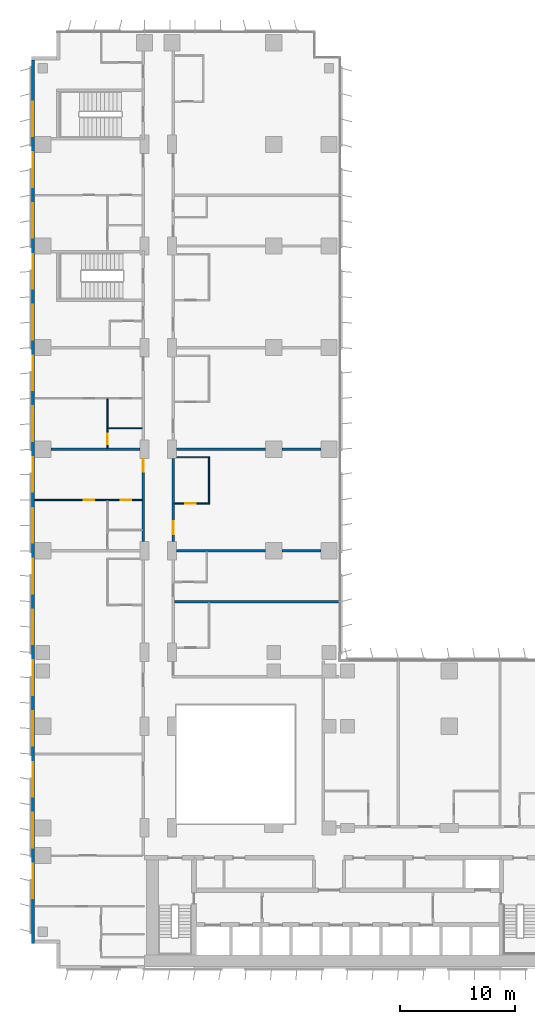
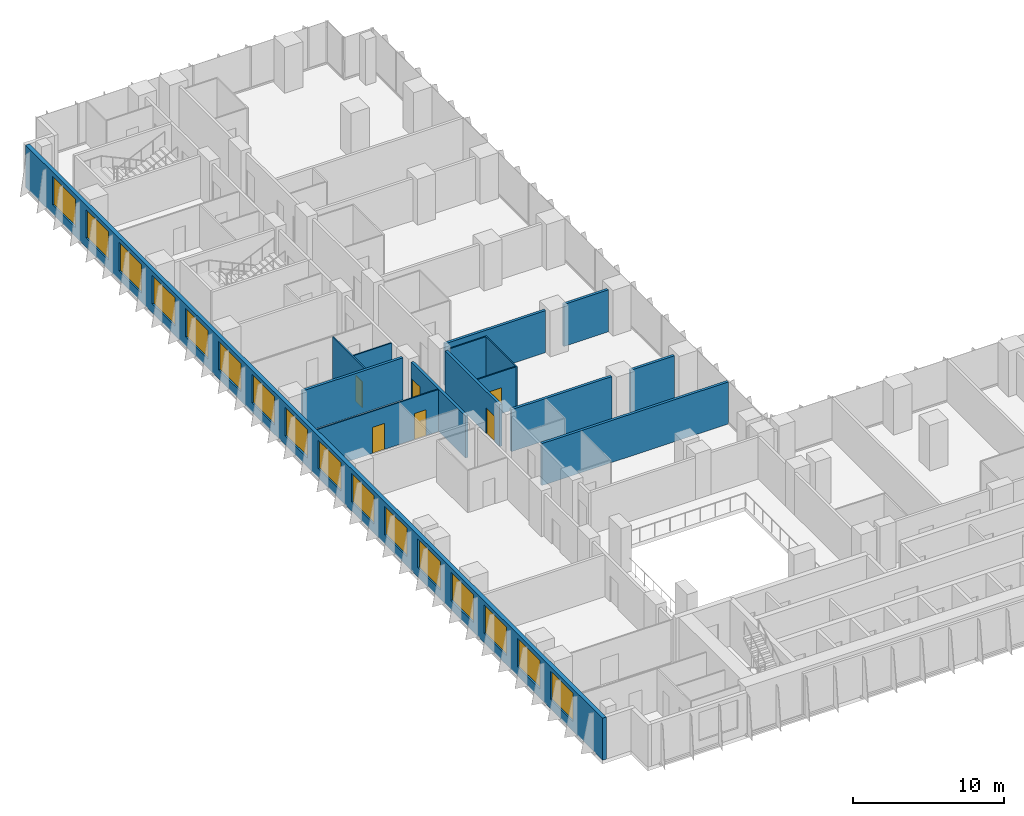
# One storey, part 16 of 24: 16 windows, 15 walls, 6 doors, 22 openings.
"""IFC4 building model written with IfcOpenShell, lengths in metres."""

from ifc_helpers import new_model, si_unit, direction, frame, frame_2d, origin, place, context, subcontext, project, spatial, rectangle, extrude, material, layer, layer_set, type_object, element, fill, save


model = new_model("IFC4")

# Units and contexts
model_context = context("Model", 3, precision=1e-05, world=origin(), true_north=direction((0.0, 1.0)))
body_context = subcontext(model_context, "Body", "Model", "MODEL_VIEW")
ifc_project = project(units=[si_unit("LENGTHUNIT", "METRE"), si_unit("AREAUNIT", "SQUARE_METRE"), si_unit("VOLUMEUNIT", "CUBIC_METRE"), si_unit("PLANEANGLEUNIT", "RADIAN"), si_unit("MASSUNIT", "GRAM", prefix="KILO")], contexts=[model_context])

# Site, building, storey
site_placement = place(None, origin())
site = spatial("IfcSite", under=ifc_project, at=site_placement, CompositionType="ELEMENT")
building_placement = place(site_placement, origin())
building = spatial("IfcBuilding", under=site, at=building_placement, Name="Kemantara Hotel Tower", CompositionType="ELEMENT")
storey_placement = place(building_placement, frame((0.0, 0.0, 76.0)))
storey = spatial("IfcBuildingStorey", under=building, at=storey_placement, Name="L17", CompositionType="ELEMENT", Elevation=76.0)

# Wall, openings, windows
ifc_material_1 = material(Name="Bronze anodised aluminium cladding on insulated steel stud wall", Category="steel")
ifc_layer_1 = layer(ifc_material_1, 0.300048828125)
ifc_layer_set_1 = layer_set([ifc_layer_1], Name="Bronze anodised aluminium cladding on insulated steel stud wall")
wall_type_1 = type_object("IfcWallType", Name="BRONZE METAL-CLAD EXTERNAL WALL 300", PredefinedType="STANDARD", material=ifc_layer_set_1)
wall_1_placement = place(storey_placement, frame((0.14990234375, 78.699951171875, 0.0), z_axis=(0.0, 0.0, 1.0), x_axis=(0.0, -1.0, 0.0)))
wall_1 = element("IfcWall", 1, at=wall_1_placement, inside=storey, type_object=wall_type_1, Name="EXTERNAL WALL L17 T1-R14", PredefinedType="STANDARD", context=body_context, shape_type="SweptSolid", body=[
    extrude(rectangle(XDim=76.5, YDim=0.300048828125, at=frame_2d((38.25, 0.0))), origin(), (0.0, 0.0, 1.0), 3.39990234375),
])
opening_1_placement = place(wall_1_placement, frame((3.60009765625, 0.0, 0.75)))
opening_1 = element("IfcOpeningElement", 2, at=opening_1_placement, cuts=wall_1, Name="Opening W1", PredefinedType="OPENING", context=body_context, shape_type="SweptSolid", body=[
    extrude(rectangle(XDim=3.0, YDim=2.300048828125, at=frame_2d((1.5, 1.14990234375))), frame((0.0, 0.159912109375, 0.0), z_axis=(0.0, -1.0, 0.0), x_axis=(1.0, 0.0, 0.0)), (0.0, 0.0, 1.0), 0.320068359375),
])
opening_2_placement = place(wall_1_placement, frame((8.0, 0.0, 0.75)))
opening_2 = element("IfcOpeningElement", 3, at=opening_2_placement, cuts=wall_1, Name="Opening W1", PredefinedType="OPENING", context=body_context, shape_type="SweptSolid", body=[
    extrude(rectangle(XDim=3.0, YDim=2.300048828125, at=frame_2d((1.5, 1.14990234375))), frame((0.0, 0.159912109375, 0.0), z_axis=(0.0, -1.0, 0.0), x_axis=(1.0, 0.0, 0.0)), (0.0, 0.0, 1.0), 0.320068359375),
])
opening_3_placement = place(wall_1_placement, frame((12.39990234375, 0.0, 0.75)))
opening_3 = element("IfcOpeningElement", 4, at=opening_3_placement, cuts=wall_1, Name="Opening W1", PredefinedType="OPENING", context=body_context, shape_type="SweptSolid", body=[
    extrude(rectangle(XDim=3.0, YDim=2.300048828125, at=frame_2d((1.5, 1.14990234375))), frame((0.0, 0.159912109375, 0.0), z_axis=(0.0, -1.0, 0.0), x_axis=(1.0, 0.0, 0.0)), (0.0, 0.0, 1.0), 0.320068359375),
])
opening_4_placement = place(wall_1_placement, frame((16.800048828125, 0.0, 0.75)))
opening_4 = element("IfcOpeningElement", 5, at=opening_4_placement, cuts=wall_1, Name="Opening W1", PredefinedType="OPENING", context=body_context, shape_type="SweptSolid", body=[
    extrude(rectangle(XDim=3.0, YDim=2.300048828125, at=frame_2d((1.5, 1.14990234375))), frame((0.0, 0.159912109375, 0.0), z_axis=(0.0, -1.0, 0.0), x_axis=(1.0, 0.0, 0.0)), (0.0, 0.0, 1.0), 0.320068359375),
])
opening_5_placement = place(wall_1_placement, frame((21.199951171875, 0.0, 0.75)))
opening_5 = element("IfcOpeningElement", 6, at=opening_5_placement, cuts=wall_1, Name="Opening W1", PredefinedType="OPENING", context=body_context, shape_type="SweptSolid", body=[
    extrude(rectangle(XDim=3.0, YDim=2.300048828125, at=frame_2d((1.5, 1.14990234375))), frame((0.0, 0.159912109375, 0.0), z_axis=(0.0, -1.0, 0.0), x_axis=(1.0, 0.0, 0.0)), (0.0, 0.0, 1.0), 0.320068359375),
])
opening_6_placement = place(wall_1_placement, frame((25.60009765625, 0.0, 0.75)))
opening_6 = element("IfcOpeningElement", 7, at=opening_6_placement, cuts=wall_1, Name="Opening W1", PredefinedType="OPENING", context=body_context, shape_type="SweptSolid", body=[
    extrude(rectangle(XDim=3.0, YDim=2.300048828125, at=frame_2d((1.5, 1.14990234375))), frame((0.0, 0.159912109375, 0.0), z_axis=(0.0, -1.0, 0.0), x_axis=(1.0, 0.0, 0.0)), (0.0, 0.0, 1.0), 0.320068359375),
])
opening_7_placement = place(wall_1_placement, frame((30.0, 0.0, 0.75)))
opening_7 = element("IfcOpeningElement", 8, at=opening_7_placement, cuts=wall_1, Name="Opening W1", PredefinedType="OPENING", context=body_context, shape_type="SweptSolid", body=[
    extrude(rectangle(XDim=3.0, YDim=2.300048828125, at=frame_2d((1.5, 1.14990234375))), frame((0.0, 0.159912109375, 0.0), z_axis=(0.0, -1.0, 0.0), x_axis=(1.0, 0.0, 0.0)), (0.0, 0.0, 1.0), 0.320068359375),
])
opening_8_placement = place(wall_1_placement, frame((34.39990234375, 0.0, 0.75)))
opening_8 = element("IfcOpeningElement", 9, at=opening_8_placement, cuts=wall_1, Name="Opening W1", PredefinedType="OPENING", context=body_context, shape_type="SweptSolid", body=[
    extrude(rectangle(XDim=3.0, YDim=2.300048828125, at=frame_2d((1.5, 1.14990234375))), frame((0.0, 0.159912109375, 0.0), z_axis=(0.0, -1.0, 0.0), x_axis=(1.0, 0.0, 0.0)), (0.0, 0.0, 1.0), 0.320068359375),
])
opening_9_placement = place(wall_1_placement, frame((38.800048828125, 0.0, 0.75)))
opening_9 = element("IfcOpeningElement", 10, at=opening_9_placement, cuts=wall_1, Name="Opening W1", PredefinedType="OPENING", context=body_context, shape_type="SweptSolid", body=[
    extrude(rectangle(XDim=3.0, YDim=2.300048828125, at=frame_2d((1.5, 1.14990234375))), frame((0.0, 0.159912109375, 0.0), z_axis=(0.0, -1.0, 0.0), x_axis=(1.0, 0.0, 0.0)), (0.0, 0.0, 1.0), 0.320068359375),
])
opening_10_placement = place(wall_1_placement, frame((43.199951171875, 0.0, 0.75)))
opening_10 = element("IfcOpeningElement", 11, at=opening_10_placement, cuts=wall_1, Name="Opening W1", PredefinedType="OPENING", context=body_context, shape_type="SweptSolid", body=[
    extrude(rectangle(XDim=3.0, YDim=2.300048828125, at=frame_2d((1.5, 1.14990234375))), frame((0.0, 0.159912109375, 0.0), z_axis=(0.0, -1.0, 0.0), x_axis=(1.0, 0.0, 0.0)), (0.0, 0.0, 1.0), 0.320068359375),
])
opening_11_placement = place(wall_1_placement, frame((47.60009765625, 0.0, 0.75)))
opening_11 = element("IfcOpeningElement", 12, at=opening_11_placement, cuts=wall_1, Name="Opening W1", PredefinedType="OPENING", context=body_context, shape_type="SweptSolid", body=[
    extrude(rectangle(XDim=3.0, YDim=2.300048828125, at=frame_2d((1.5, 1.14990234375))), frame((0.0, 0.159912109375, 0.0), z_axis=(0.0, -1.0, 0.0), x_axis=(1.0, 0.0, 0.0)), (0.0, 0.0, 1.0), 0.320068359375),
])
opening_12_placement = place(wall_1_placement, frame((52.0, 0.0, 0.75)))
opening_12 = element("IfcOpeningElement", 13, at=opening_12_placement, cuts=wall_1, Name="Opening W1", PredefinedType="OPENING", context=body_context, shape_type="SweptSolid", body=[
    extrude(rectangle(XDim=3.0, YDim=2.300048828125, at=frame_2d((1.5, 1.14990234375))), frame((0.0, 0.159912109375, 0.0), z_axis=(0.0, -1.0, 0.0), x_axis=(1.0, 0.0, 0.0)), (0.0, 0.0, 1.0), 0.320068359375),
])
opening_13_placement = place(wall_1_placement, frame((56.39990234375, 0.0, 0.75)))
opening_13 = element("IfcOpeningElement", 14, at=opening_13_placement, cuts=wall_1, Name="Opening W1", PredefinedType="OPENING", context=body_context, shape_type="SweptSolid", body=[
    extrude(rectangle(XDim=3.0, YDim=2.300048828125, at=frame_2d((1.5, 1.14990234375))), frame((0.0, 0.159912109375, 0.0), z_axis=(0.0, -1.0, 0.0), x_axis=(1.0, 0.0, 0.0)), (0.0, 0.0, 1.0), 0.320068359375),
])
opening_14_placement = place(wall_1_placement, frame((60.800048828125, 0.0, 0.75)))
opening_14 = element("IfcOpeningElement", 15, at=opening_14_placement, cuts=wall_1, Name="Opening W1", PredefinedType="OPENING", context=body_context, shape_type="SweptSolid", body=[
    extrude(rectangle(XDim=3.0, YDim=2.300048828125, at=frame_2d((1.5, 1.14990234375))), frame((0.0, 0.159912109375, 0.0), z_axis=(0.0, -1.0, 0.0), x_axis=(1.0, 0.0, 0.0)), (0.0, 0.0, 1.0), 0.320068359375),
])
opening_15_placement = place(wall_1_placement, frame((65.199951171875, 0.0, 0.75)))
opening_15 = element("IfcOpeningElement", 16, at=opening_15_placement, cuts=wall_1, Name="Opening W1", PredefinedType="OPENING", context=body_context, shape_type="SweptSolid", body=[
    extrude(rectangle(XDim=3.0, YDim=2.300048828125, at=frame_2d((1.5, 1.14990234375))), frame((0.0, 0.159912109375, 0.0), z_axis=(0.0, -1.0, 0.0), x_axis=(1.0, 0.0, 0.0)), (0.0, 0.0, 1.0), 0.320068359375),
])
opening_16_placement = place(wall_1_placement, frame((69.60009765625, 0.0, 0.75)))
opening_16 = element("IfcOpeningElement", 17, at=opening_16_placement, cuts=wall_1, Name="Opening W1", PredefinedType="OPENING", context=body_context, shape_type="SweptSolid", body=[
    extrude(rectangle(XDim=3.0, YDim=2.300048828125, at=frame_2d((1.5, 1.14990234375))), frame((0.0, 0.159912109375, 0.0), z_axis=(0.0, -1.0, 0.0), x_axis=(1.0, 0.0, 0.0)), (0.0, 0.0, 1.0), 0.320068359375),
])
ifc_material_2 = material(Name="Low-E tinted double insulated glass in bronze anodised aluminium frame", Category="aluminium")
window_type = type_object("IfcWindowType", Name="CHICAGO WINDOW, TRIPLE PANEL 3000x2300", PartitioningType="TRIPLE_PANEL_VERTICAL", PredefinedType="WINDOW", material=ifc_material_2)
window_1_placement = place(opening_1_placement, origin())
window_1 = element("IfcWindow", 18, at=window_1_placement, inside=storey, type_object=window_type, Name="CHICAGO WINDOW L17 T1-R14-54", OverallHeight=2.300048828125, OverallWidth=3.0, PartitioningType="SINGLE_PANEL", PredefinedType="WINDOW", context=body_context, shape_type="SweptSolid", body=[
    extrude(rectangle(XDim=3.0, YDim=2.300048828125, at=frame_2d((1.5, 1.14990234375))), frame((0.0, 0.030029296875, 0.0), z_axis=(0.0, -1.0, 0.0), x_axis=(1.0, 0.0, 0.0)), (0.0, 0.0, 1.0), 0.06005859375),
])
fill(opening_1, window_1)
window_2_placement = place(opening_2_placement, origin())
window_2 = element("IfcWindow", 19, at=window_2_placement, inside=storey, type_object=window_type, Name="CHICAGO WINDOW L17 T1-R14-98", OverallHeight=2.300048828125, OverallWidth=3.0, PartitioningType="SINGLE_PANEL", PredefinedType="WINDOW", context=body_context, shape_type="SweptSolid", body=[
    extrude(rectangle(XDim=3.0, YDim=2.300048828125, at=frame_2d((1.5, 1.14990234375))), frame((0.0, 0.030029296875, 0.0), z_axis=(0.0, -1.0, 0.0), x_axis=(1.0, 0.0, 0.0)), (0.0, 0.0, 1.0), 0.06005859375),
])
fill(opening_2, window_2)
window_3_placement = place(opening_3_placement, origin())
window_3 = element("IfcWindow", 20, at=window_3_placement, inside=storey, type_object=window_type, Name="CHICAGO WINDOW L17 T1-R14-142", OverallHeight=2.300048828125, OverallWidth=3.0, PartitioningType="SINGLE_PANEL", PredefinedType="WINDOW", context=body_context, shape_type="SweptSolid", body=[
    extrude(rectangle(XDim=3.0, YDim=2.300048828125, at=frame_2d((1.5, 1.14990234375))), frame((0.0, 0.030029296875, 0.0), z_axis=(0.0, -1.0, 0.0), x_axis=(1.0, 0.0, 0.0)), (0.0, 0.0, 1.0), 0.06005859375),
])
fill(opening_3, window_3)
window_4_placement = place(opening_4_placement, origin())
window_4 = element("IfcWindow", 21, at=window_4_placement, inside=storey, type_object=window_type, Name="CHICAGO WINDOW L17 T1-R14-186", OverallHeight=2.300048828125, OverallWidth=3.0, PartitioningType="SINGLE_PANEL", PredefinedType="WINDOW", context=body_context, shape_type="SweptSolid", body=[
    extrude(rectangle(XDim=3.0, YDim=2.300048828125, at=frame_2d((1.5, 1.14990234375))), frame((0.0, 0.030029296875, 0.0), z_axis=(0.0, -1.0, 0.0), x_axis=(1.0, 0.0, 0.0)), (0.0, 0.0, 1.0), 0.06005859375),
])
fill(opening_4, window_4)
window_5_placement = place(opening_5_placement, origin())
window_5 = element("IfcWindow", 22, at=window_5_placement, inside=storey, type_object=window_type, Name="CHICAGO WINDOW L17 T1-R14-230", OverallHeight=2.300048828125, OverallWidth=3.0, PartitioningType="SINGLE_PANEL", PredefinedType="WINDOW", context=body_context, shape_type="SweptSolid", body=[
    extrude(rectangle(XDim=3.0, YDim=2.300048828125, at=frame_2d((1.5, 1.14990234375))), frame((0.0, 0.030029296875, 0.0), z_axis=(0.0, -1.0, 0.0), x_axis=(1.0, 0.0, 0.0)), (0.0, 0.0, 1.0), 0.06005859375),
])
fill(opening_5, window_5)
window_6_placement = place(opening_6_placement, origin())
window_6 = element("IfcWindow", 23, at=window_6_placement, inside=storey, type_object=window_type, Name="CHICAGO WINDOW L17 T1-R14-274", OverallHeight=2.300048828125, OverallWidth=3.0, PartitioningType="SINGLE_PANEL", PredefinedType="WINDOW", context=body_context, shape_type="SweptSolid", body=[
    extrude(rectangle(XDim=3.0, YDim=2.300048828125, at=frame_2d((1.5, 1.14990234375))), frame((0.0, 0.030029296875, 0.0), z_axis=(0.0, -1.0, 0.0), x_axis=(1.0, 0.0, 0.0)), (0.0, 0.0, 1.0), 0.06005859375),
])
fill(opening_6, window_6)
window_7_placement = place(opening_7_placement, origin())
window_7 = element("IfcWindow", 24, at=window_7_placement, inside=storey, type_object=window_type, Name="CHICAGO WINDOW L17 T1-R14-318", OverallHeight=2.300048828125, OverallWidth=3.0, PartitioningType="SINGLE_PANEL", PredefinedType="WINDOW", context=body_context, shape_type="SweptSolid", body=[
    extrude(rectangle(XDim=3.0, YDim=2.300048828125, at=frame_2d((1.5, 1.14990234375))), frame((0.0, 0.030029296875, 0.0), z_axis=(0.0, -1.0, 0.0), x_axis=(1.0, 0.0, 0.0)), (0.0, 0.0, 1.0), 0.06005859375),
])
fill(opening_7, window_7)
window_8_placement = place(opening_8_placement, origin())
window_8 = element("IfcWindow", 25, at=window_8_placement, inside=storey, type_object=window_type, Name="CHICAGO WINDOW L17 T1-R14-362", OverallHeight=2.300048828125, OverallWidth=3.0, PartitioningType="SINGLE_PANEL", PredefinedType="WINDOW", context=body_context, shape_type="SweptSolid", body=[
    extrude(rectangle(XDim=3.0, YDim=2.300048828125, at=frame_2d((1.5, 1.14990234375))), frame((0.0, 0.030029296875, 0.0), z_axis=(0.0, -1.0, 0.0), x_axis=(1.0, 0.0, 0.0)), (0.0, 0.0, 1.0), 0.06005859375),
])
fill(opening_8, window_8)
window_9_placement = place(opening_9_placement, origin())
window_9 = element("IfcWindow", 26, at=window_9_placement, inside=storey, type_object=window_type, Name="CHICAGO WINDOW L17 T1-R14-406", OverallHeight=2.300048828125, OverallWidth=3.0, PartitioningType="SINGLE_PANEL", PredefinedType="WINDOW", context=body_context, shape_type="SweptSolid", body=[
    extrude(rectangle(XDim=3.0, YDim=2.300048828125, at=frame_2d((1.5, 1.14990234375))), frame((0.0, 0.030029296875, 0.0), z_axis=(0.0, -1.0, 0.0), x_axis=(1.0, 0.0, 0.0)), (0.0, 0.0, 1.0), 0.06005859375),
])
fill(opening_9, window_9)
window_10_placement = place(opening_10_placement, origin())
window_10 = element("IfcWindow", 27, at=window_10_placement, inside=storey, type_object=window_type, Name="CHICAGO WINDOW L17 T1-R14-450", OverallHeight=2.300048828125, OverallWidth=3.0, PartitioningType="SINGLE_PANEL", PredefinedType="WINDOW", context=body_context, shape_type="SweptSolid", body=[
    extrude(rectangle(XDim=3.0, YDim=2.300048828125, at=frame_2d((1.5, 1.14990234375))), frame((0.0, 0.030029296875, 0.0), z_axis=(0.0, -1.0, 0.0), x_axis=(1.0, 0.0, 0.0)), (0.0, 0.0, 1.0), 0.06005859375),
])
fill(opening_10, window_10)
window_11_placement = place(opening_11_placement, origin())
window_11 = element("IfcWindow", 28, at=window_11_placement, inside=storey, type_object=window_type, Name="CHICAGO WINDOW L17 T1-R14-494", OverallHeight=2.300048828125, OverallWidth=3.0, PartitioningType="SINGLE_PANEL", PredefinedType="WINDOW", context=body_context, shape_type="SweptSolid", body=[
    extrude(rectangle(XDim=3.0, YDim=2.300048828125, at=frame_2d((1.5, 1.14990234375))), frame((0.0, 0.030029296875, 0.0), z_axis=(0.0, -1.0, 0.0), x_axis=(1.0, 0.0, 0.0)), (0.0, 0.0, 1.0), 0.06005859375),
])
fill(opening_11, window_11)
window_12_placement = place(opening_12_placement, origin())
window_12 = element("IfcWindow", 29, at=window_12_placement, inside=storey, type_object=window_type, Name="CHICAGO WINDOW L17 T1-R14-538", OverallHeight=2.300048828125, OverallWidth=3.0, PartitioningType="SINGLE_PANEL", PredefinedType="WINDOW", context=body_context, shape_type="SweptSolid", body=[
    extrude(rectangle(XDim=3.0, YDim=2.300048828125, at=frame_2d((1.5, 1.14990234375))), frame((0.0, 0.030029296875, 0.0), z_axis=(0.0, -1.0, 0.0), x_axis=(1.0, 0.0, 0.0)), (0.0, 0.0, 1.0), 0.06005859375),
])
fill(opening_12, window_12)
window_13_placement = place(opening_13_placement, origin())
window_13 = element("IfcWindow", 30, at=window_13_placement, inside=storey, type_object=window_type, Name="CHICAGO WINDOW L17 T1-R14-582", OverallHeight=2.300048828125, OverallWidth=3.0, PartitioningType="SINGLE_PANEL", PredefinedType="WINDOW", context=body_context, shape_type="SweptSolid", body=[
    extrude(rectangle(XDim=3.0, YDim=2.300048828125, at=frame_2d((1.5, 1.14990234375))), frame((0.0, 0.030029296875, 0.0), z_axis=(0.0, -1.0, 0.0), x_axis=(1.0, 0.0, 0.0)), (0.0, 0.0, 1.0), 0.06005859375),
])
fill(opening_13, window_13)
window_14_placement = place(opening_14_placement, origin())
window_14 = element("IfcWindow", 31, at=window_14_placement, inside=storey, type_object=window_type, Name="CHICAGO WINDOW L17 T1-R14-626", OverallHeight=2.300048828125, OverallWidth=3.0, PartitioningType="SINGLE_PANEL", PredefinedType="WINDOW", context=body_context, shape_type="SweptSolid", body=[
    extrude(rectangle(XDim=3.0, YDim=2.300048828125, at=frame_2d((1.5, 1.14990234375))), frame((0.0, 0.030029296875, 0.0), z_axis=(0.0, -1.0, 0.0), x_axis=(1.0, 0.0, 0.0)), (0.0, 0.0, 1.0), 0.06005859375),
])
fill(opening_14, window_14)
window_15_placement = place(opening_15_placement, origin())
window_15 = element("IfcWindow", 32, at=window_15_placement, inside=storey, type_object=window_type, Name="CHICAGO WINDOW L17 T1-R14-670", OverallHeight=2.300048828125, OverallWidth=3.0, PartitioningType="SINGLE_PANEL", PredefinedType="WINDOW", context=body_context, shape_type="SweptSolid", body=[
    extrude(rectangle(XDim=3.0, YDim=2.300048828125, at=frame_2d((1.5, 1.14990234375))), frame((0.0, 0.030029296875, 0.0), z_axis=(0.0, -1.0, 0.0), x_axis=(1.0, 0.0, 0.0)), (0.0, 0.0, 1.0), 0.06005859375),
])
fill(opening_15, window_15)
window_16_placement = place(opening_16_placement, origin())
window_16 = element("IfcWindow", 33, at=window_16_placement, inside=storey, type_object=window_type, Name="CHICAGO WINDOW L17 T1-R14-714", OverallHeight=2.300048828125, OverallWidth=3.0, PartitioningType="SINGLE_PANEL", PredefinedType="WINDOW", context=body_context, shape_type="SweptSolid", body=[
    extrude(rectangle(XDim=3.0, YDim=2.300048828125, at=frame_2d((1.5, 1.14990234375))), frame((0.0, 0.030029296875, 0.0), z_axis=(0.0, -1.0, 0.0), x_axis=(1.0, 0.0, 0.0)), (0.0, 0.0, 1.0), 0.06005859375),
])
fill(opening_16, window_16)

# Wall, opening, door
ifc_material_3 = material(Name="Gypsum board partition, steel studs and mineral wool, 200 mm", Category="steel")
ifc_layer_2 = layer(ifc_material_3, 0.199951171875)
ifc_layer_set_2 = layer_set([ifc_layer_2], Name="Gypsum board partition, steel studs and mineral wool, 200 mm")
wall_type_2 = type_object("IfcWallType", Name="CORRIDOR WALL 200", PredefinedType="PARTITIONING", material=ifc_layer_set_2)
wall_2_placement = place(storey_placement, frame((9.699951171875, 37.0, 0.0), z_axis=(0.0, 0.0, 1.0), x_axis=(0.0, 1.0, 0.0)))
wall_2 = element("IfcWall", 34, at=wall_2_placement, inside=storey, type_object=wall_type_2, Name="CORRIDOR WALL 200 029", PredefinedType="PARTITIONING", context=body_context, shape_type="SweptSolid", body=[
    extrude(rectangle(XDim=7.199951171875, YDim=0.199951171875, at=frame_2d((3.60009765625, 0.0))), origin(), (0.0, 0.0, 1.0), 3.39990234375),
])
opening_17_placement = place(wall_2_placement, frame((6.0498046875, 0.0, 0.0)))
opening_17 = element("IfcOpeningElement", 35, at=opening_17_placement, cuts=wall_2, Name="Opening F06-036", PredefinedType="OPENING", context=body_context, shape_type="SweptSolid", body=[
    extrude(rectangle(XDim=1.10009765625, YDim=2.10009765625, at=frame_2d((0.550048828125, 1.050048828125))), frame((0.0, 0.10986328125, 0.0), z_axis=(0.0, -1.0, 0.0), x_axis=(1.0, 0.0, 0.0)), (0.0, 0.0, 1.0), 0.219970703125),
])
ifc_material_4 = material(Name="Hardwood veneer door leaf with steel frame", Category="steel")
door_type_1 = type_object("IfcDoorType", Name="SUITE ENTRANCE DOOR 1100 X 2100 FD30S", OperationType="NOTDEFINED", PredefinedType="DOOR", material=ifc_material_4)
door_1_placement = place(opening_17_placement, origin())
door_1 = element("IfcDoor", 36, at=door_1_placement, inside=storey, type_object=door_type_1, Name="SUITE ENTRANCE DOOR F06-036", OperationType="SINGLE_SWING_RIGHT", OverallHeight=2.10009765625, OverallWidth=1.10009765625, PredefinedType="DOOR", context=body_context, shape_type="SweptSolid", body=[
    extrude(rectangle(XDim=1.10009765625, YDim=2.10009765625, at=frame_2d((0.550048828125, 1.050048828125))), frame((0.0, 0.02490234375, 0.0), z_axis=(0.0, -1.0, 0.0), x_axis=(1.0, 0.0, 0.0)), (0.0, 0.0, 1.0), 0.050048828125),
])
fill(opening_17, door_1)

wall_3_placement = place(storey_placement, frame((12.300048828125, 44.199951171875, 0.0), z_axis=(0.0, 0.0, 1.0), x_axis=(0.0, -1.0, 0.0)))
wall_3 = element("IfcWall", 37, at=wall_3_placement, inside=storey, type_object=wall_type_2, Name="CORRIDOR WALL 200 046", PredefinedType="PARTITIONING", context=body_context, shape_type="SweptSolid", body=[
    extrude(rectangle(XDim=7.199951171875, YDim=0.199951171875, at=frame_2d((3.60009765625, 0.0))), origin(), (0.0, 0.0, 1.0), 3.39990234375),
])
opening_18_placement = place(wall_3_placement, frame((5.449951171875, 0.0, 0.0)))
opening_18 = element("IfcOpeningElement", 38, at=opening_18_placement, cuts=wall_3, Name="Opening F06-056", PredefinedType="OPENING", context=body_context, shape_type="SweptSolid", body=[
    extrude(rectangle(XDim=1.10009765625, YDim=2.10009765625, at=frame_2d((0.550048828125, 1.050048828125))), frame((0.0, 0.10986328125, 0.0), z_axis=(0.0, -1.0, 0.0), x_axis=(1.0, 0.0, 0.0)), (0.0, 0.0, 1.0), 0.219970703125),
])
door_2_placement = place(opening_18_placement, origin())
door_2 = element("IfcDoor", 39, at=door_2_placement, inside=storey, type_object=door_type_1, Name="SUITE ENTRANCE DOOR F06-056", OperationType="SINGLE_SWING_RIGHT", OverallHeight=2.10009765625, OverallWidth=1.10009765625, PredefinedType="DOOR", context=body_context, shape_type="SweptSolid", body=[
    extrude(rectangle(XDim=1.10009765625, YDim=2.10009765625, at=frame_2d((0.550048828125, 1.050048828125))), frame((0.0, 0.02490234375, 0.0), z_axis=(0.0, -1.0, 0.0), x_axis=(1.0, 0.0, 0.0)), (0.0, 0.0, 1.0), 0.050048828125),
])
fill(opening_18, door_2)

# Walls
ifc_layer_3 = layer(ifc_material_3, 0.199951171875)
ifc_layer_set_3 = layer_set([ifc_layer_3], Name="Gypsum board partition, steel studs and mineral wool, 200 mm")
wall_type_3 = type_object("IfcWallType", Name="GUEST ROOM PARTY WALL 200", PredefinedType="PARTITIONING", material=ifc_layer_set_3)
wall_4_placement = place(storey_placement, frame((12.60009765625, 36.199951171875, 0.0), z_axis=(0.0, 0.0, 1.0), x_axis=(1.0, 0.0, 0.0)))
element("IfcWall", 40, at=wall_4_placement, inside=storey, type_object=wall_type_3, Name="GUEST ROOM PARTY WALL 200 036", PredefinedType="PARTITIONING", context=body_context, shape_type="SweptSolid", body=[
    extrude(rectangle(XDim=7.69970703125, YDim=0.199951171875, at=frame_2d((3.849853515625, 0.0))), origin(), (0.0, 0.0, 1.0), 3.39990234375),
])
wall_5_placement = place(storey_placement, frame((21.7001953125, 36.199951171875, 0.0), z_axis=(0.0, 0.0, 1.0), x_axis=(1.0, 0.0, 0.0)))
element("IfcWall", 41, at=wall_5_placement, inside=storey, type_object=wall_type_3, Name="GUEST ROOM PARTY WALL 200 037", PredefinedType="PARTITIONING", context=body_context, shape_type="SweptSolid", body=[
    extrude(rectangle(XDim=3.399658203125, YDim=0.199951171875, at=frame_2d((1.69970703125, 0.0))), origin(), (0.0, 0.0, 1.0), 3.39990234375),
])
for number, where, z_axis, x_axis, name in (
    (42, (1.7001953125, 45.0, 0.0), (0.0, 0.0, 1.0), (1.0, 0.0, 0.0), "GUEST ROOM PARTY WALL 200 038"),
    (43, (12.60009765625, 45.0, 0.0), (0.0, 0.0, 1.0), (1.0, 0.0, 0.0), "GUEST ROOM PARTY WALL 200 039"),
):
    element("IfcWall", number, at=place(storey_placement, frame(where, z_axis=z_axis, x_axis=x_axis)), inside=storey, type_object=wall_type_3, Name=name, PredefinedType="PARTITIONING", context=body_context, shape_type="SweptSolid", body=[
        extrude(rectangle(XDim=7.69970703125, YDim=0.199951171875, at=frame_2d((3.849853515625, 0.0))), origin(), (0.0, 0.0, 1.0), 3.39990234375),
    ])
wall_6_placement = place(storey_placement, frame((21.7001953125, 45.0, 0.0), z_axis=(0.0, 0.0, 1.0), x_axis=(1.0, 0.0, 0.0)))
element("IfcWall", 44, at=wall_6_placement, inside=storey, type_object=wall_type_3, Name="GUEST ROOM PARTY WALL 200 040", PredefinedType="PARTITIONING", context=body_context, shape_type="SweptSolid", body=[
    extrude(rectangle(XDim=3.399658203125, YDim=0.199951171875, at=frame_2d((1.69970703125, 0.0))), origin(), (0.0, 0.0, 1.0), 3.39990234375),
])
wall_7_placement = place(storey_placement, frame((12.39990234375, 31.800048828125, 0.0), z_axis=(0.0, 0.0, 1.0), x_axis=(1.0, 0.0, 0.0)))
element("IfcWall", 45, at=wall_7_placement, inside=storey, type_object=wall_type_3, Name="GUEST ROOM PARTY WALL 200 054", PredefinedType="PARTITIONING", context=body_context, shape_type="SweptSolid", body=[
    extrude(rectangle(XDim=14.27001953125, YDim=0.199951171875, at=frame_2d((7.135009765625, 0.0))), origin(), (0.0, 0.0, 1.0), 3.39990234375),
])

# Wall, opening, door
ifc_material_5 = material(Name="Gypsum board partition on steel studs, 100 mm", Category="steel")
ifc_layer_4 = layer(ifc_material_5, 0.10009765625)
ifc_layer_set_4 = layer_set([ifc_layer_4], Name="Gypsum board partition on steel studs, 100 mm")
wall_type_4 = type_object("IfcWallType", Name="ROOM PARTITION 100", PredefinedType="PARTITIONING", material=ifc_layer_set_4)
wall_8_placement = place(storey_placement, frame((6.60009765625, 49.35009765625, 0.0), z_axis=(0.0, 0.0, 1.0), x_axis=(0.0, -1.0, 0.0)))
wall_8 = element("IfcWall", 46, at=wall_8_placement, inside=storey, type_object=wall_type_4, Name="ROOM PARTITION 100 093", PredefinedType="PARTITIONING", context=body_context, shape_type="SweptSolid", body=[
    extrude(rectangle(XDim=4.25, YDim=0.10009765625, at=frame_2d((2.125, 0.0))), origin(), (0.0, 0.0, 1.0), 3.39990234375),
])
opening_19_placement = place(wall_8_placement, frame((3.0, 0.0, 0.0)))
opening_19 = element("IfcOpeningElement", 47, at=opening_19_placement, cuts=wall_8, Name="Opening F06-043", PredefinedType="OPENING", context=body_context, shape_type="SweptSolid", body=[
    extrude(rectangle(XDim=0.89990234375, YDim=2.10009765625, at=frame_2d((0.449951171875, 1.050048828125))), frame((0.0, 0.06005859375, 0.0), z_axis=(0.0, -1.0, 0.0), x_axis=(1.0, 0.0, 0.0)), (0.0, 0.0, 1.0), 0.1201171875),
])
door_type_2 = type_object("IfcDoorType", Name="BATHROOM DOOR 900 X 2100", OperationType="NOTDEFINED", PredefinedType="DOOR", material=ifc_material_4)
door_3_placement = place(opening_19_placement, origin())
door_3 = element("IfcDoor", 48, at=door_3_placement, inside=storey, type_object=door_type_2, Name="BATHROOM DOOR F06-043", OperationType="SINGLE_SWING_LEFT", OverallHeight=2.10009765625, OverallWidth=0.89990234375, PredefinedType="DOOR", context=body_context, shape_type="SweptSolid", body=[
    extrude(rectangle(XDim=0.89990234375, YDim=2.10009765625, at=frame_2d((0.449951171875, 1.050048828125))), frame((0.0, 0.02490234375, 0.0), z_axis=(0.0, -1.0, 0.0), x_axis=(1.0, 0.0, 0.0)), (0.0, 0.0, 1.0), 0.050048828125),
])
fill(opening_19, door_3)

# Wall, openings, doors
wall_9_placement = place(storey_placement, frame((0.31005859375, 40.60009765625, 0.0), z_axis=(0.0, 0.0, 1.0), x_axis=(1.0, 0.0, 0.0)))
wall_9 = element("IfcWall", 49, at=wall_9_placement, inside=storey, type_object=wall_type_4, Name="ROOM PARTITION 100 097", PredefinedType="PARTITIONING", context=body_context, shape_type="SweptSolid", body=[
    extrude(rectangle(XDim=9.2900390625, YDim=0.10009765625, at=frame_2d((4.64501953125, 0.0))), origin(), (0.0, 0.0, 1.0), 3.39990234375),
])
opening_20_placement = place(wall_9_placement, frame((7.43994140625, 0.0, 0.0)))
opening_20 = element("IfcOpeningElement", 50, at=opening_20_placement, cuts=wall_9, Name="Opening F06-037", PredefinedType="OPENING", context=body_context, shape_type="SweptSolid", body=[
    extrude(rectangle(XDim=0.89990234375, YDim=2.10009765625, at=frame_2d((0.449951171875, 1.050048828125))), frame((0.0, 0.06005859375, 0.0), z_axis=(0.0, -1.0, 0.0), x_axis=(1.0, 0.0, 0.0)), (0.0, 0.0, 1.0), 0.1201171875),
])
opening_21_placement = place(wall_9_placement, frame((4.239990234375, 0.0, 0.0)))
opening_21 = element("IfcOpeningElement", 51, at=opening_21_placement, cuts=wall_9, Name="Opening F06-038", PredefinedType="OPENING", context=body_context, shape_type="SweptSolid", body=[
    extrude(rectangle(XDim=0.89990234375, YDim=2.10009765625, at=frame_2d((0.449951171875, 1.050048828125))), frame((0.0, 0.06005859375, 0.0), z_axis=(0.0, -1.0, 0.0), x_axis=(1.0, 0.0, 0.0)), (0.0, 0.0, 1.0), 0.1201171875),
])
door_type_3 = type_object("IfcDoorType", Name="INTERNAL DOOR 900 X 2100", OperationType="NOTDEFINED", PredefinedType="DOOR", material=ifc_material_4)
door_4_placement = place(opening_21_placement, frame((0.89990234375, 0.0, 0.0), z_axis=(0.0, 0.0, 1.0), x_axis=(-1.0, 0.0, 0.0)))
door_4 = element("IfcDoor", 52, at=door_4_placement, inside=storey, type_object=door_type_3, Name="INTERNAL DOOR F06-038", OperationType="SINGLE_SWING_RIGHT", OverallHeight=2.10009765625, OverallWidth=0.89990234375, PredefinedType="DOOR", context=body_context, shape_type="SweptSolid", body=[
    extrude(rectangle(XDim=0.89990234375, YDim=2.10009765625, at=frame_2d((0.449951171875, 1.050048828125))), frame((0.0, 0.02490234375, 0.0), z_axis=(0.0, -1.0, 0.0), x_axis=(1.0, 0.0, 0.0)), (0.0, 0.0, 1.0), 0.050048828125),
])
fill(opening_21, door_4)
door_type_4 = type_object("IfcDoorType", Name="PANTRY DOOR 900 X 2100", OperationType="NOTDEFINED", PredefinedType="DOOR", material=ifc_material_4)
door_5_placement = place(opening_20_placement, origin())
door_5 = element("IfcDoor", 53, at=door_5_placement, inside=storey, type_object=door_type_4, Name="PANTRY DOOR F06-037", OperationType="SINGLE_SWING_RIGHT", OverallHeight=2.10009765625, OverallWidth=0.89990234375, PredefinedType="DOOR", context=body_context, shape_type="SweptSolid", body=[
    extrude(rectangle(XDim=0.89990234375, YDim=2.10009765625, at=frame_2d((0.449951171875, 1.050048828125))), frame((0.0, 0.02490234375, 0.0), z_axis=(0.0, -1.0, 0.0), x_axis=(1.0, 0.0, 0.0)), (0.0, 0.0, 1.0), 0.050048828125),
])
fill(opening_20, door_5)

# Walls
wall_10_placement = place(storey_placement, frame((6.64990234375, 46.800048828125, 0.0), z_axis=(0.0, 0.0, 1.0), x_axis=(1.0, 0.0, 0.0)))
element("IfcWall", 54, at=wall_10_placement, inside=storey, type_object=wall_type_4, Name="ROOM PARTITION 100 100", PredefinedType="PARTITIONING", context=body_context, shape_type="SweptSolid", body=[
    extrude(rectangle(XDim=2.9501953125, YDim=0.10009765625, at=frame_2d((1.47509765625, 0.0))), origin(), (0.0, 0.0, 1.0), 3.39990234375),
])
wall_11_placement = place(storey_placement, frame((15.39990234375, 40.25, 0.0), z_axis=(0.0, 0.0, 1.0), x_axis=(0.0, 1.0, 0.0)))
element("IfcWall", 55, at=wall_11_placement, inside=storey, type_object=wall_type_4, Name="ROOM PARTITION 100 107", PredefinedType="PARTITIONING", context=body_context, shape_type="SweptSolid", body=[
    extrude(rectangle(XDim=4.10009765625, YDim=0.10009765625, at=frame_2d((2.050048828125, 0.0))), origin(), (0.0, 0.0, 1.0), 3.39990234375),
])

# Wall, opening, door
wall_12_placement = place(storey_placement, frame((12.39990234375, 40.300048828125, 0.0), z_axis=(0.0, 0.0, 1.0), x_axis=(1.0, 0.0, 0.0)))
wall_12 = element("IfcWall", 56, at=wall_12_placement, inside=storey, type_object=wall_type_4, Name="ROOM PARTITION 100 114", PredefinedType="PARTITIONING", context=body_context, shape_type="SweptSolid", body=[
    extrude(rectangle(XDim=2.9501953125, YDim=0.10009765625, at=frame_2d((1.47509765625, 0.0))), origin(), (0.0, 0.0, 1.0), 3.39990234375),
])
opening_22_placement = place(wall_12_placement, frame((0.949951171875, 0.0, 0.0)))
opening_22 = element("IfcOpeningElement", 57, at=opening_22_placement, cuts=wall_12, Name="Opening F06-057", PredefinedType="OPENING", context=body_context, shape_type="SweptSolid", body=[
    extrude(rectangle(XDim=0.89990234375, YDim=2.10009765625, at=frame_2d((0.449951171875, 1.050048828125))), frame((0.0, 0.06005859375, 0.0), z_axis=(0.0, -1.0, 0.0), x_axis=(1.0, 0.0, 0.0)), (0.0, 0.0, 1.0), 0.1201171875),
])
door_6_placement = place(opening_22_placement, origin())
door_6 = element("IfcDoor", 58, at=door_6_placement, inside=storey, type_object=door_type_2, Name="BATHROOM DOOR F06-057", OperationType="SINGLE_SWING_LEFT", OverallHeight=2.10009765625, OverallWidth=0.89990234375, PredefinedType="DOOR", context=body_context, shape_type="SweptSolid", body=[
    extrude(rectangle(XDim=0.89990234375, YDim=2.10009765625, at=frame_2d((0.449951171875, 1.050048828125))), frame((0.0, 0.02490234375, 0.0), z_axis=(0.0, -1.0, 0.0), x_axis=(1.0, 0.0, 0.0)), (0.0, 0.0, 1.0), 0.050048828125),
])
fill(opening_22, door_6)

# Wall
wall_13_placement = place(storey_placement, frame((12.60009765625, 44.300048828125, 0.0), z_axis=(0.0, 0.0, 1.0), x_axis=(1.0, 0.0, 0.0)))
element("IfcWall", 59, at=wall_13_placement, inside=storey, type_object=wall_type_4, Name="ROOM PARTITION 100 115", PredefinedType="PARTITIONING", context=body_context, shape_type="SweptSolid", body=[
    extrude(rectangle(XDim=2.75, YDim=0.10009765625, at=frame_2d((1.375, 0.0))), origin(), (0.0, 0.0, 1.0), 3.39990234375),
])

save(model, "model.ifc")
